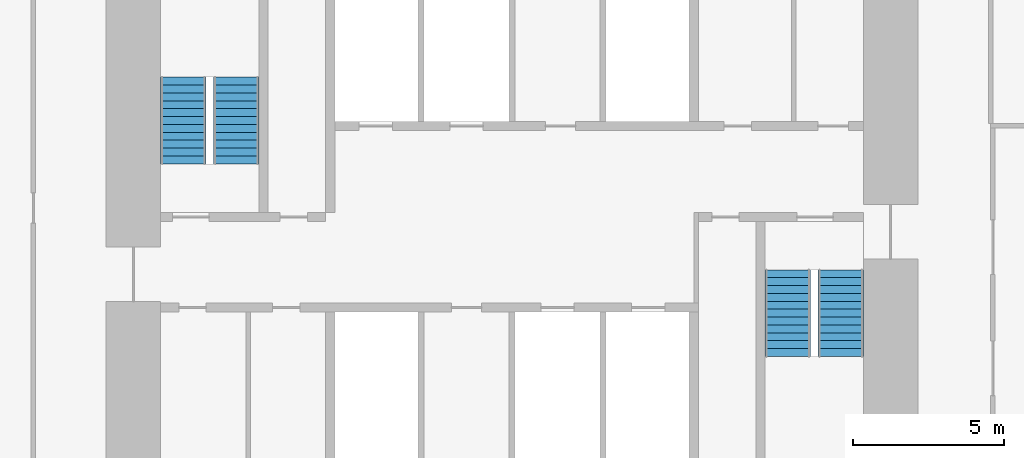
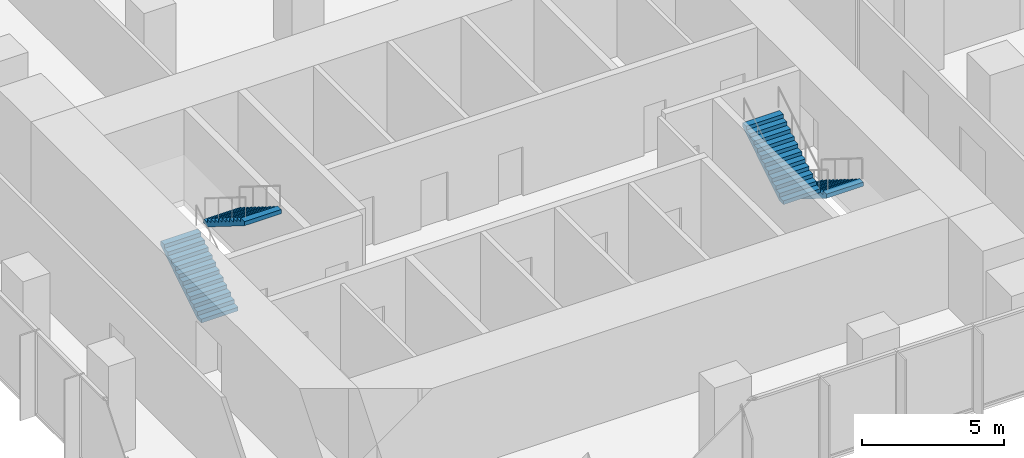
# One storey, part 10 of 11: 4 stair flights, 2 elements without a shape of their own.
"""IFC4 building model written with IfcOpenShell, lengths in metres."""

from ifc_helpers import new_model, si_unit, direction, frame, origin, place, context, subcontext, project, spatial, polyline, outline, extrude, material, type_object, element, aggregate, save


model = new_model("IFC4")

# Units and contexts
model_context = context("Model", 3, precision=1e-05, world=origin(), true_north=direction((0.0, 1.0)))
body_context = subcontext(model_context, "Body", "Model", "MODEL_VIEW")
ifc_project = project(units=[si_unit("LENGTHUNIT", "METRE"), si_unit("AREAUNIT", "SQUARE_METRE"), si_unit("VOLUMEUNIT", "CUBIC_METRE"), si_unit("PLANEANGLEUNIT", "RADIAN"), si_unit("MASSUNIT", "GRAM", prefix="KILO")], contexts=[model_context])

# Site, building, storey
site_placement = place(None, origin())
site = spatial("IfcSite", under=ifc_project, at=site_placement, CompositionType="ELEMENT")
building_placement = place(site_placement, origin())
building = spatial("IfcBuilding", under=site, at=building_placement, Name="Highveld Stack Headquarters", CompositionType="ELEMENT")
storey_placement = place(building_placement, frame((0.0, 0.0, 169.39990234375)))
storey = spatial("IfcBuildingStorey", under=building, at=storey_placement, Name="L41", CompositionType="ELEMENT", Elevation=169.39990234375)

# Stair, stair flights
ifc_material_1 = material(Name="Concrete C40/50, precast", Category="concrete")
stair_type_1 = type_object("IfcStairType", Name="STAIR S1 HALF TURN 1500", PredefinedType="HALF_TURN_STAIR", material=ifc_material_1)
stair_1_placement = place(storey_placement, origin())
stair_1 = element("IfcStair", 1, at=stair_1_placement, inside=storey, type_object=stair_type_1, Name="Stair S1 L41", PredefinedType="HALF_TURN_STAIR")
ifc_material_2 = material(Name="Concrete C40/50, precast", Category="concrete")
stair_flight_type = type_object("IfcStairFlightType", Name="STAIR FLIGHT 1500 PRECAST", PredefinedType="STRAIGHT", material=ifc_material_2)
stair_flight_1_placement = place(storey_placement, frame((-4.85009765625, 4.75, 0.0), z_axis=(0.0, 0.0, 1.0), x_axis=(0.0, 1.0, 0.0)))
stair_flight_1 = element("IfcStairFlight", 2, at=stair_flight_1_placement, type_object=stair_flight_type, Name="S1 flight 1", NumberOfRisers=12, NumberOfTreads=11, PredefinedType="STRAIGHT", RiserHeight=0.1625, TreadLength=0.26, context=body_context, shape_type="SweptSolid", body=[
    extrude(outline(polyline([(0.0, 0.0), (0.0, 0.16259765625), (0.260009765625, 0.16259765625), (0.260009765625, 0.324951171875), (0.52001953125, 0.324951171875), (0.52001953125, 0.487548828125), (0.780029296875, 0.487548828125), (0.780029296875, 0.64990234375), (1.0400390625, 0.64990234375), (1.0400390625, 0.8125), (1.300048828125, 0.8125), (1.300048828125, 0.97509765625), (1.56005859375, 0.97509765625), (1.56005859375, 1.137451171875), (1.820068359375, 1.137451171875), (1.820068359375, 1.300048828125), (2.080078125, 1.300048828125), (2.080078125, 1.46240234375), (2.340087890625, 1.46240234375), (2.340087890625, 1.625), (2.60009765625, 1.625), (2.60009765625, 1.78759765625), (2.860107421875, 1.78759765625), (2.860107421875, 1.949951171875), (2.860107421875, 1.61083984375), (0.28271484375, 0.0), (0.0, 0.0)])), frame((0.0, 0.75, 0.0), z_axis=(0.0, -1.0, 0.0), x_axis=(1.0, 0.0, 0.0)), (0.0, 0.0, 1.0), 1.5),
])
stair_flight_2_placement = place(storey_placement, frame((-3.10009765625, 7.610107421875, 1.9501953125), z_axis=(0.0, 0.0, 1.0), x_axis=(0.0, -1.0, 0.0)))
stair_flight_2 = element("IfcStairFlight", 3, at=stair_flight_2_placement, type_object=stair_flight_type, Name="S1 flight 2", NumberOfRisers=12, NumberOfTreads=11, PredefinedType="STRAIGHT", RiserHeight=0.1625, TreadLength=0.26, context=body_context, shape_type="SweptSolid", body=[
    extrude(outline(polyline([(0.0, 0.0), (0.0, 0.16259765625), (0.260009765625, 0.16259765625), (0.260009765625, 0.324951171875), (0.52001953125, 0.324951171875), (0.52001953125, 0.487548828125), (0.780029296875, 0.487548828125), (0.780029296875, 0.64990234375), (1.0400390625, 0.64990234375), (1.0400390625, 0.8125), (1.300048828125, 0.8125), (1.300048828125, 0.97509765625), (1.56005859375, 0.97509765625), (1.56005859375, 1.137451171875), (1.820068359375, 1.137451171875), (1.820068359375, 1.300048828125), (2.080078125, 1.300048828125), (2.080078125, 1.46240234375), (2.340087890625, 1.46240234375), (2.340087890625, 1.625), (2.60009765625, 1.625), (2.60009765625, 1.78759765625), (2.860107421875, 1.78759765625), (2.860107421875, 1.949951171875), (2.860107421875, 1.61083984375), (0.28271484375, 0.0), (0.0, 0.0)])), frame((0.0, 0.75, 0.0), z_axis=(0.0, -1.0, 0.0), x_axis=(1.0, 0.0, 0.0)), (0.0, 0.0, 1.0), 1.5),
])
aggregate(stair_1, [stair_flight_1, stair_flight_2])

ifc_material_3 = material(Name="Concrete C40/50, precast", Category="concrete")
stair_type_2 = type_object("IfcStairType", Name="STAIR S2 HALF TURN 1500", PredefinedType="HALF_TURN_STAIR", material=ifc_material_3)
stair_2_placement = place(storey_placement, origin())
stair_2 = element("IfcStair", 4, at=stair_2_placement, inside=storey, type_object=stair_type_2, Name="Stair S2 L41", PredefinedType="HALF_TURN_STAIR")
stair_flight_3_placement = place(storey_placement, frame((16.85009765625, 1.25, 0.0), z_axis=(0.0, 0.0, 1.0), x_axis=(0.0, -1.0, 0.0)))
stair_flight_3 = element("IfcStairFlight", 5, at=stair_flight_3_placement, type_object=stair_flight_type, Name="S2 flight 1", NumberOfRisers=12, NumberOfTreads=11, PredefinedType="STRAIGHT", RiserHeight=0.1625, TreadLength=0.26, context=body_context, shape_type="SweptSolid", body=[
    extrude(outline(polyline([(0.0, 0.0), (0.0, 0.16259765625), (0.260009765625, 0.16259765625), (0.260009765625, 0.324951171875), (0.52001953125, 0.324951171875), (0.52001953125, 0.487548828125), (0.780029296875, 0.487548828125), (0.780029296875, 0.64990234375), (1.0400390625, 0.64990234375), (1.0400390625, 0.8125), (1.300048828125, 0.8125), (1.300048828125, 0.97509765625), (1.56005859375, 0.97509765625), (1.56005859375, 1.137451171875), (1.820068359375, 1.137451171875), (1.820068359375, 1.300048828125), (2.080078125, 1.300048828125), (2.080078125, 1.46240234375), (2.340087890625, 1.46240234375), (2.340087890625, 1.625), (2.60009765625, 1.625), (2.60009765625, 1.78759765625), (2.860107421875, 1.78759765625), (2.860107421875, 1.949951171875), (2.860107421875, 1.61083984375), (0.28271484375, 0.0), (0.0, 0.0)])), frame((0.0, 0.75, 0.0), z_axis=(0.0, -1.0, 0.0), x_axis=(1.0, 0.0, 0.0)), (0.0, 0.0, 1.0), 1.5),
])
stair_flight_4_placement = place(storey_placement, frame((15.10009765625, -1.610107421875, 1.9501953125), z_axis=(0.0, 0.0, 1.0), x_axis=(0.0, 1.0, 0.0)))
stair_flight_4 = element("IfcStairFlight", 6, at=stair_flight_4_placement, type_object=stair_flight_type, Name="S2 flight 2", NumberOfRisers=12, NumberOfTreads=11, PredefinedType="STRAIGHT", RiserHeight=0.1625, TreadLength=0.26, context=body_context, shape_type="SweptSolid", body=[
    extrude(outline(polyline([(0.0, 0.0), (0.0, 0.16259765625), (0.260009765625, 0.16259765625), (0.260009765625, 0.324951171875), (0.52001953125, 0.324951171875), (0.52001953125, 0.487548828125), (0.780029296875, 0.487548828125), (0.780029296875, 0.64990234375), (1.0400390625, 0.64990234375), (1.0400390625, 0.8125), (1.300048828125, 0.8125), (1.300048828125, 0.97509765625), (1.56005859375, 0.97509765625), (1.56005859375, 1.137451171875), (1.820068359375, 1.137451171875), (1.820068359375, 1.300048828125), (2.080078125, 1.300048828125), (2.080078125, 1.46240234375), (2.340087890625, 1.46240234375), (2.340087890625, 1.625), (2.60009765625, 1.625), (2.60009765625, 1.78759765625), (2.860107421875, 1.78759765625), (2.860107421875, 1.949951171875), (2.860107421875, 1.61083984375), (0.28271484375, 0.0), (0.0, 0.0)])), frame((0.0, 0.75, 0.0), z_axis=(0.0, -1.0, 0.0), x_axis=(1.0, 0.0, 0.0)), (0.0, 0.0, 1.0), 1.5),
])
aggregate(stair_2, [stair_flight_3, stair_flight_4])

save(model, "model.ifc")
